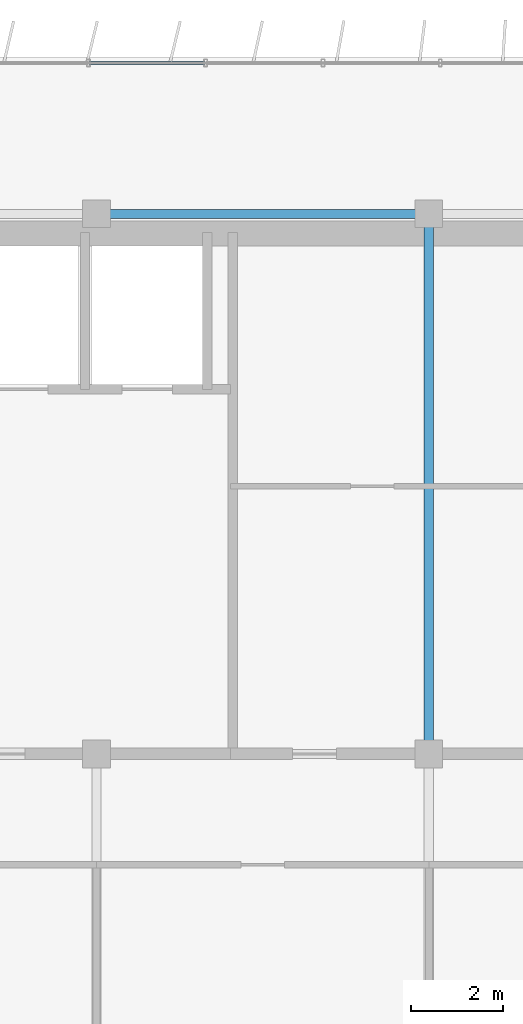
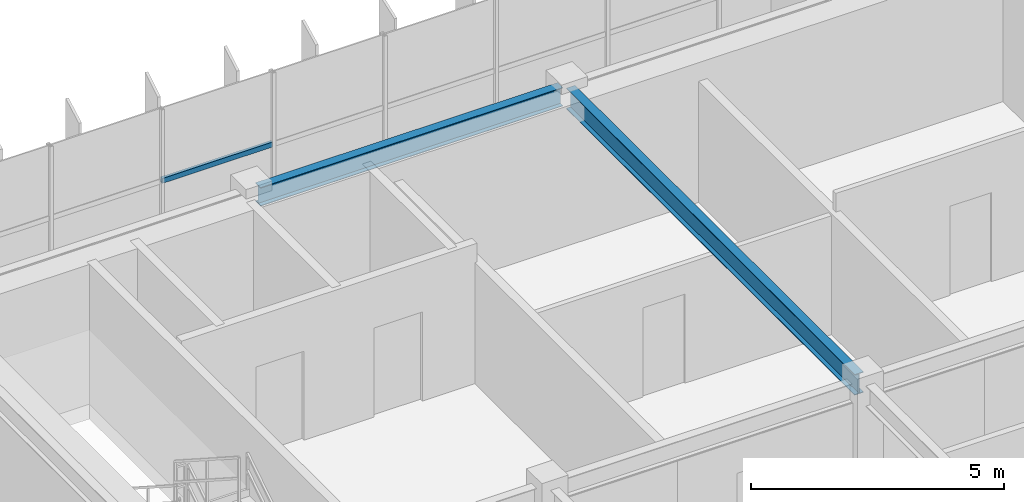
# One storey, part 7 of 21: 2 beams, 1 member, 1 element without a shape of its own.
"""IFC4 building model written with IfcOpenShell, lengths in metres."""

from ifc_helpers import new_model, si_unit, direction, frame, origin, origin_2d, place, context, subcontext, project, spatial, hollow_rectangle, i_section, extrude, source, transform, mapped, material, material_profile, profile_set, type_object, element, aggregate, save


model = new_model("IFC4")

# Units and contexts
model_context = context("Model", 3, precision=1e-05, world=origin(), true_north=direction((0.0, 1.0)))
body_context = subcontext(model_context, "Body", "Model", "MODEL_VIEW")
ifc_project = project(units=[si_unit("LENGTHUNIT", "METRE"), si_unit("AREAUNIT", "SQUARE_METRE"), si_unit("VOLUMEUNIT", "CUBIC_METRE"), si_unit("PLANEANGLEUNIT", "RADIAN"), si_unit("MASSUNIT", "GRAM", prefix="KILO")], contexts=[model_context])

# Site, building, storey
site_placement = place(None, origin())
site = spatial("IfcSite", under=ifc_project, at=site_placement, CompositionType="ELEMENT")
building_placement = place(site_placement, origin())
building = spatial("IfcBuilding", under=site, at=building_placement, Name="Trelvane Seafront Commons", CompositionType="ELEMENT")
storey_placement = place(building_placement, frame((0.0, 0.0, 248.699951171875)))
storey = spatial("IfcBuildingStorey", under=building, at=storey_placement, Name="L64", CompositionType="ELEMENT", Elevation=248.699951171875)

# Beams
ifc_material_1 = material(Name="Steel SM355 (S355)", Category="steel")
ifc_material_profile_1 = material_profile(ifc_material_1, i_section(OverallWidth=0.199951171875, OverallDepth=0.5, WebThickness=0.010009765625, FlangeThickness=0.01611328125, at=origin_2d()), Name="H-500x200x10x16")
ifc_profile_set_1 = profile_set([ifc_material_profile_1], Name="Steel SM355 (S355)")
beam_type_1 = type_object("IfcBeamType", Name="STR-BM-H500", PredefinedType="BEAM", material=ifc_profile_set_1)
shared_shape_1 = source(origin(), body_context, "Body", "SweptSolid", [
    extrude(i_section(OverallWidth=0.199951171875, OverallDepth=0.5, WebThickness=0.010009765625, FlangeThickness=0.01611328125, at=origin_2d()), origin(), (0.0, 0.0, 1.0), 11.39990234375),
])
beam_1_placement = place(storey_placement, frame((30.60009765625, 33.550048828125, 3.1201171875), z_axis=(0.0, 1.0, 0.0), x_axis=(-1.0, 0.0, 0.0)))
element("IfcBeam", 1, at=beam_1_placement, inside=storey, type_object=beam_type_1, Name="L64 Primary Girder G-40", PredefinedType="BEAM", context=body_context, shape_type="MappedRepresentation", body=[
    mapped(shared_shape_1, transform((0.0, 0.0, 0.0), x_axis=(1.0, 0.0, 0.0), y_axis=(0.0, 1.0, 0.0), z_axis=(0.0, 0.0, 1.0), scale=1.0)),
])
ifc_material_profile_2 = material_profile(ifc_material_1, i_section(OverallWidth=0.199951171875, OverallDepth=0.449951171875, WebThickness=0.009033203125, FlangeThickness=0.013916015625, at=origin_2d()), Name="H-450x200x9x14")
ifc_profile_set_2 = profile_set([ifc_material_profile_2], Name="Steel SM355 (S355)")
beam_type_2 = type_object("IfcBeamType", Name="STR-SPD-H450", PredefinedType="SPANDREL", material=ifc_profile_set_2)
shared_shape_2 = source(origin(), body_context, "Body", "SweptSolid", [
    extrude(i_section(OverallWidth=0.199951171875, OverallDepth=0.449951171875, WebThickness=0.009033203125, FlangeThickness=0.013916015625, at=origin_2d()), origin(), (0.0, 0.0, 1.0), 6.89990234375),
])
beam_2_placement = place(storey_placement, frame((23.550048828125, 45.10009765625, 3.14501953125), z_axis=(1.0, 0.0, 0.0), x_axis=(0.0, 1.0, 0.0)))
element("IfcBeam", 2, at=beam_2_placement, inside=storey, type_object=beam_type_2, Name="L64 Primary Girder G-24", PredefinedType="SPANDREL", context=body_context, shape_type="MappedRepresentation", body=[
    mapped(shared_shape_2, transform((0.0, 0.0, 0.0), x_axis=(1.0, 0.0, 0.0), y_axis=(0.0, 1.0, 0.0), z_axis=(0.0, 0.0, 1.0), scale=1.0)),
])

# Curtain wall, member
ifc_material_2 = material(Name="Anodised pale-silver aluminium", Category="aluminium")
curtain_wall_type = type_object("IfcCurtainWallType", Name="ARCH-CW5-UPTOWER", PredefinedType="NOTDEFINED", material=ifc_material_2)
curtain_wall_placement = place(storey_placement, origin())
curtain_wall = element("IfcCurtainWall", 3, at=curtain_wall_placement, inside=storey, type_object=curtain_wall_type, Name="CW-L64-0108", PredefinedType="NOTDEFINED")
ifc_material_profile_3 = material_profile(ifc_material_2, hollow_rectangle(XDim=0.070068359375, YDim=0.1201171875, WallThickness=0.00390625, at=origin_2d()), Name="TRAN-70x120x4")
ifc_profile_set_3 = profile_set([ifc_material_profile_3], Name="Anodised pale-silver aluminium")
member_type = type_object("IfcMemberType", Name="ARCH-CW-TRAN-120", PredefinedType="USERDEFINED", material=ifc_profile_set_3)
shared_shape_3 = source(origin(), body_context, "Body", "SweptSolid", [
    extrude(hollow_rectangle(XDim=0.070068359375, YDim=0.1201171875, WallThickness=0.00390625, at=origin_2d()), origin(), (0.0, 0.0, 1.0), 2.51708984375),
])
member_placement = place(storey_placement, frame((23.235595703125, 48.3701171875, 1.6181640625), z_axis=(1.0, 0.0, 0.0), x_axis=(0.0, 1.0, 0.0)))
member = element("IfcMember", 4, at=member_placement, type_object=member_type, Name="CW-L64-0108-T03", ObjectType="TRANSOM", PredefinedType="USERDEFINED", context=body_context, shape_type="MappedRepresentation", body=[
    mapped(shared_shape_3, transform((0.0, 0.0, 0.0), x_axis=(1.0, 0.0, 0.0), y_axis=(0.0, 1.0, 0.0), z_axis=(0.0, 0.0, 1.0), scale=1.0)),
])
aggregate(curtain_wall, [member])

save(model, "model.ifc")
